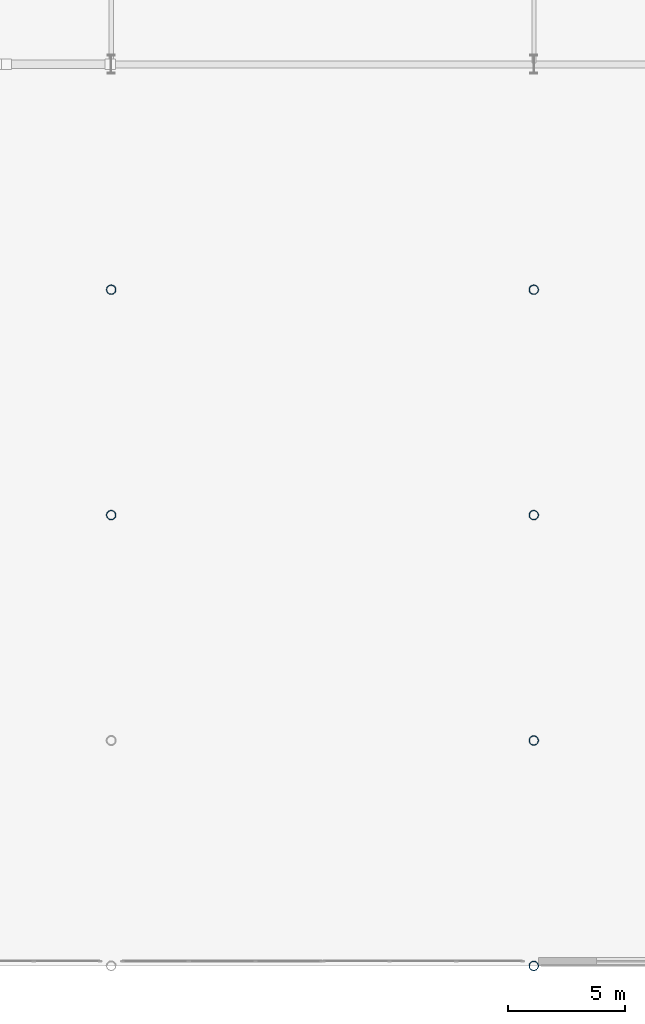
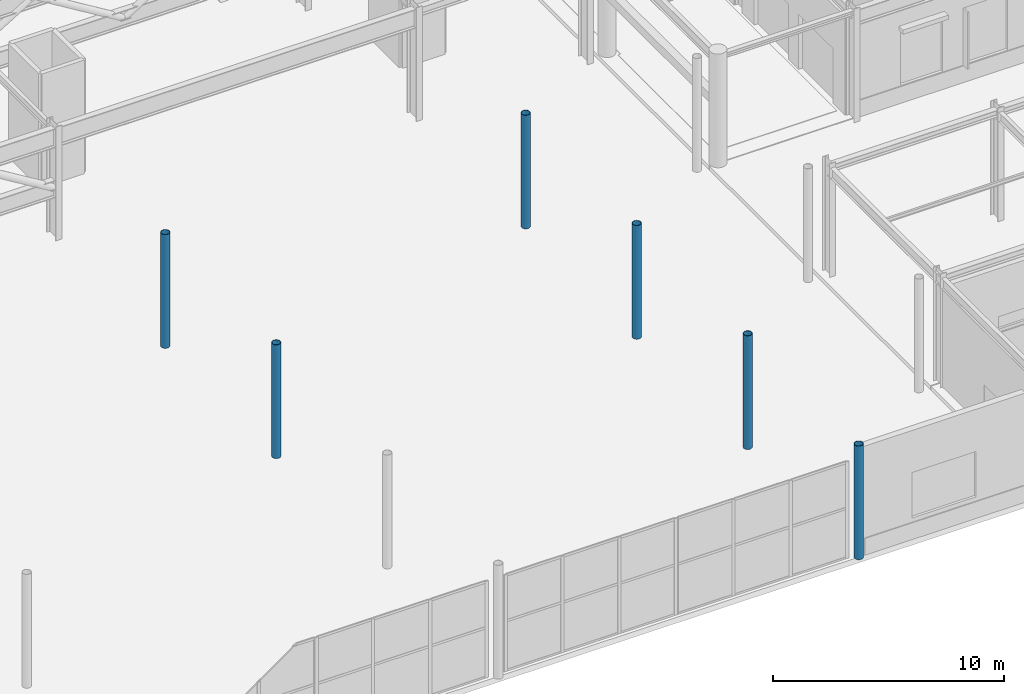
# One storey, part 3 of 113: 6 columns.
"""IFC4 building model written with IfcOpenShell, lengths in metres."""

from ifc_helpers import new_model, si_unit, direction, frame, origin, origin_2d, place, context, subcontext, project, spatial, hollow_circle, extrude, material, material_profile, profile_set, type_object, element, save


model = new_model("IFC4")

# Units and contexts
model_context = context("Model", 3, precision=1e-05, world=origin(), true_north=direction((0.0, 1.0)))
body_context = subcontext(model_context, "Body", "Model", "MODEL_VIEW")
ifc_project = project(units=[si_unit("LENGTHUNIT", "METRE"), si_unit("AREAUNIT", "SQUARE_METRE"), si_unit("VOLUMEUNIT", "CUBIC_METRE"), si_unit("PLANEANGLEUNIT", "RADIAN"), si_unit("MASSUNIT", "GRAM", prefix="KILO")], contexts=[model_context])

# Site, building, storey
site_placement = place(None, origin())
site = spatial("IfcSite", under=ifc_project, at=site_placement, CompositionType="ELEMENT")
building_placement = place(site_placement, origin())
building = spatial("IfcBuilding", under=site, at=building_placement, Name="Myrtia Square Station", CompositionType="ELEMENT")
storey_placement = place(building_placement, origin())
storey = spatial("IfcBuildingStorey", under=building, at=storey_placement, Name="L00", CompositionType="ELEMENT", Elevation=0.0)

# Columns
ifc_material = material(Name="Steel S355", Category="steel")
ifc_material_profile = material_profile(ifc_material, hollow_circle(Radius=0.203125, WallThickness=0.02001953125, at=origin_2d()), Name="CHS 406.4x20")
ifc_profile_set = profile_set([ifc_material_profile], Name="Steel S355")
column_type = type_object("IfcColumnType", Name="COL-CHS406", PredefinedType="COLUMN", material=ifc_profile_set)
for number, where, z_axis, x_axis, name in (
    (1, (45.0, 19.199951171875, 0.0), (0.0, 0.0, 1.0), (1.0, 0.0, 0.0), "Column L00-0122"),
    (2, (45.0, 28.800048828125, 0.0), (0.0, 0.0, 1.0), (1.0, 0.0, 0.0), "Column L00-0125"),
    (3, (63.0, 0.0, 0.0), (0.0, 0.0, 1.0), (1.0, 0.0, 0.0), "Column L00-0158"),
    (4, (63.0, 9.60009765625, 0.0), (0.0, 0.0, 1.0), (1.0, 0.0, 0.0), "Column L00-0161"),
    (5, (63.0, 19.199951171875, 0.0), (0.0, 0.0, 1.0), (1.0, 0.0, 0.0), "Column L00-0164"),
    (6, (63.0, 28.800048828125, 0.0), (0.0, 0.0, 1.0), (1.0, 0.0, 0.0), "Column L00-0167"),
):
    element("IfcColumn", number, at=place(storey_placement, frame(where, z_axis=z_axis, x_axis=x_axis)), inside=storey, type_object=column_type, Name=name, PredefinedType="COLUMN", context=body_context, shape_type="SweptSolid", body=[
        extrude(hollow_circle(Radius=0.203125, WallThickness=0.02001953125, at=origin_2d()), origin(), (0.0, 0.0, 1.0), 6.0),
    ])

save(model, "model.ifc")
